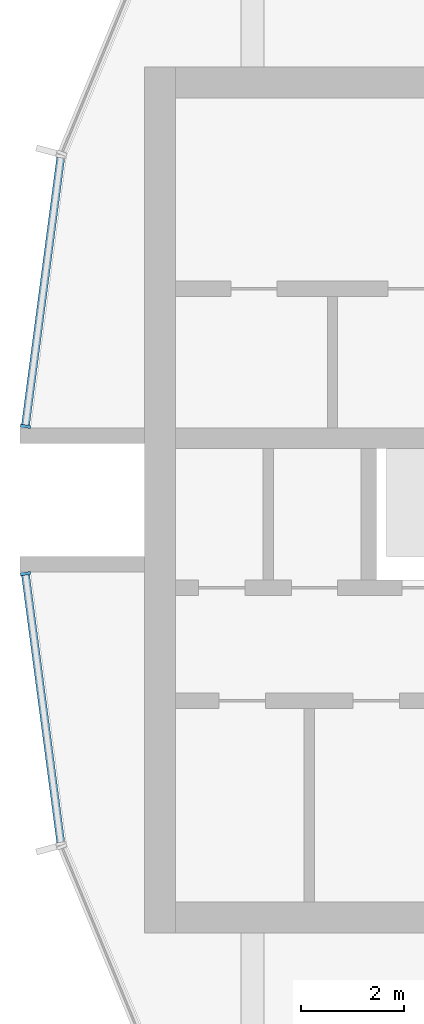
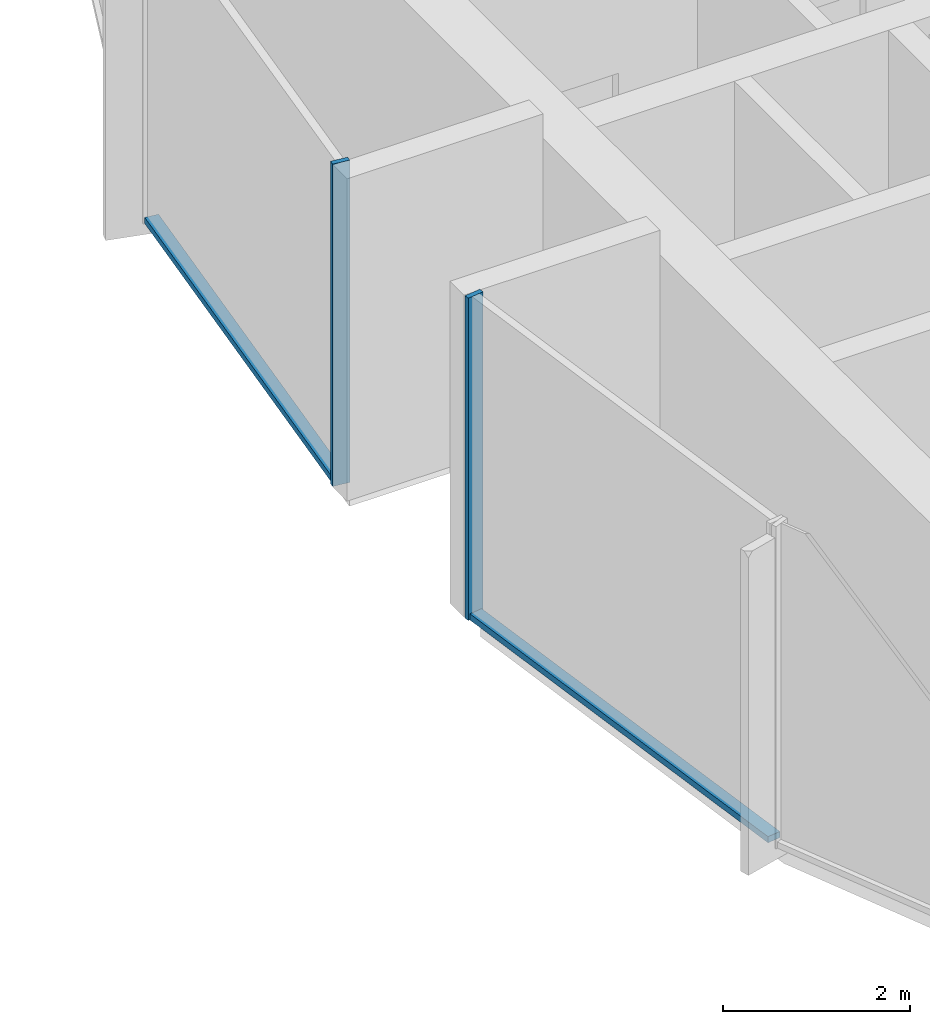
# One storey, part 3 of 15: 4 members, 2 elements without a shape of their own.
"""IFC4 building model written with IfcOpenShell, lengths in metres."""

import ifcopenshell
import ifcopenshell.guid

model = None  # the IFC model being written
_history = None  # IfcOwnerHistory: only IFC2X3 demands one
_inside = {}  # id of a spatial element -> (the spatial element, [elements in it])
_under = {}  # id of a project, library or spatial element -> (it, [spatial elements below it])
_declared = {}  # id of a project -> (the project, [libraries it declares])
_typed = {}  # id of a type object -> (the type object, [elements of that type])
_made_of = {}  # id of a material, layer set ... -> (it, [elements and type objects made of it])


def new_model(schema):
    """Start an empty IFC model of exactly this schema.

    Asked for "IFC4X3", IfcOpenShell would pick the latest addendum, in which some entities
    have other attributes; the version numbers below select the first issue.
    IFC2X3 requires an IfcOwnerHistory on every rooted entity: one is made here for all.
    """
    global model, _history
    if schema == "IFC4X3":
        model = ifcopenshell.file(schema_version=(4, 3, 0, 0))
    else:
        model = ifcopenshell.file(schema=schema)
    _inside.clear()
    _under.clear()
    _declared.clear()
    _typed.clear()
    _made_of.clear()
    _history = None
    if model.schema == "IFC2X3":
        org = make("IfcOrganization", Name="unknown")
        user = make(
            "IfcPersonAndOrganization",
            ThePerson=make("IfcPerson", FamilyName="unknown"),
            TheOrganization=org,
        )
        app = make(
            "IfcApplication",
            ApplicationDeveloper=org,
            Version="unknown",
            ApplicationFullName="unknown",
            ApplicationIdentifier="unknown",
        )
        _history = make(
            "IfcOwnerHistory",
            OwningUser=user,
            OwningApplication=app,
            ChangeAction="ADDED",
            CreationDate=0,
        )
    return model


def make(cls, **values):
    """One entity of the class cls with the attributes given. An attribute that is None is left unset."""
    return model.create_entity(
        cls, **{name: value for name, value in values.items() if value is not None}
    )


def rooted(cls, **values):
    """An entity with a GlobalId (a new one), such as an element, a storey or a relation."""
    return make(cls, GlobalId=ifcopenshell.guid.new(), OwnerHistory=_history, **values)


def si_unit(unit_type, name, prefix=None):
    """IfcSIUnit, for example si_unit("LENGTHUNIT", "METRE", prefix="MILLI")."""
    return make("IfcSIUnit", UnitType=unit_type, Prefix=prefix, Name=name)


def assignment(units):
    """IfcUnitAssignment: the units of a project."""
    return None if units is None else make("IfcUnitAssignment", Units=units)


def point(xyz):
    """IfcCartesianPoint."""
    return None if xyz is None else make("IfcCartesianPoint", Coordinates=xyz)


def direction(xyz):
    """IfcDirection."""
    return None if xyz is None else make("IfcDirection", DirectionRatios=xyz)


def frame(location, z_axis=None, x_axis=None):
    """IfcAxis2Placement3D, a coordinate frame: its origin and axes. An axis left out is left unset."""
    return make(
        "IfcAxis2Placement3D",
        Location=point(location),
        Axis=direction(z_axis),
        RefDirection=direction(x_axis),
    )


def frame_2d(location, x_axis=None):
    """IfcAxis2Placement2D, a coordinate frame in the plane: its origin and x axis."""
    return make(
        "IfcAxis2Placement2D", Location=point(location), RefDirection=direction(x_axis)
    )


def origin():
    """The frame at (0, 0, 0) with its axes left unset."""
    return frame((0.0, 0.0, 0.0))


def origin_2d():
    """The frame at (0, 0) in the plane with its x axis left unset."""
    return frame_2d((0.0, 0.0))


def place(relative_to, where):
    """IfcLocalPlacement: puts the frame where relative to a parent placement (None: the world)."""
    return make(
        "IfcLocalPlacement", PlacementRelTo=relative_to, RelativePlacement=where
    )


def context(
    kind, dimensions, precision=None, world=None, true_north=None, identifier=None
):
    """IfcGeometricRepresentationContext, for example the 3D "Model" context."""
    return make(
        "IfcGeometricRepresentationContext",
        ContextIdentifier=identifier,
        ContextType=kind,
        CoordinateSpaceDimension=dimensions,
        Precision=precision,
        WorldCoordinateSystem=world,
        TrueNorth=true_north,
    )


def subcontext(parent, identifier, kind, view, scale=None):
    """IfcGeometricRepresentationSubContext, for example "Body" below "Model"."""
    return make(
        "IfcGeometricRepresentationSubContext",
        ContextIdentifier=identifier,
        ContextType=kind,
        ParentContext=parent,
        TargetScale=scale,
        TargetView=view,
    )


def project(units=None, contexts=None):
    """IfcProject with its units and contexts."""
    return rooted(
        "IfcProject",
        Name="project",
        RepresentationContexts=contexts,
        UnitsInContext=assignment(units),
    )


def spatial(cls, under=None, at=None, **own):
    """A site, building, storey or space (cls), placed at a placement, below another one or the project."""
    s = rooted(cls, ObjectPlacement=at, **own)
    if under is not None:
        _under.setdefault(under.id(), (under, []))[1].append(s)
    return s


def profile(cls, at=None, kind="AREA", **sizes):
    """A parametric profile (cls). Its sizes go by their IFC names, for example OverallWidth=200.0."""
    return make(cls, ProfileType=kind, Position=at, **sizes)


def rectangle(**sizes):
    """IfcRectangleProfileDef."""
    return profile("IfcRectangleProfileDef", **sizes)


def extrude(swept, where, along, depth):
    """IfcExtrudedAreaSolid: the profile swept, set in the frame where, extruded along a direction by depth."""
    return make(
        "IfcExtrudedAreaSolid",
        SweptArea=swept,
        Position=where,
        ExtrudedDirection=direction(along),
        Depth=depth,
    )


def shape(context_of_items, identifier, shape_type, items):
    """IfcShapeRepresentation: the items that make up one representation, for example the "Body"."""
    return make(
        "IfcShapeRepresentation",
        ContextOfItems=context_of_items,
        RepresentationIdentifier=identifier,
        RepresentationType=shape_type,
        Items=items,
    )


def material(Name=None, Category=None):
    """IfcMaterial."""
    return make("IfcMaterial", Name=Name, Category=Category)


def layer(
    of_material, thickness, ventilated=None, Name=None, Category=None, Priority=None
):
    """IfcMaterialLayer: one layer of a wall or slab, of a material (None: an air gap)."""
    return make(
        "IfcMaterialLayer",
        Material=of_material,
        LayerThickness=thickness,
        IsVentilated=ventilated,
        Name=Name,
        Category=Category,
        Priority=Priority,
    )


def layer_set(layers, Name=None):
    """IfcMaterialLayerSet."""
    return make("IfcMaterialLayerSet", MaterialLayers=layers, LayerSetName=Name)


def material_profile(
    of_material, cross_section, Name=None, Category=None, Priority=None
):
    """IfcMaterialProfile: a cross section and its material."""
    return make(
        "IfcMaterialProfile",
        Name=Name,
        Material=of_material,
        Profile=cross_section,
        Priority=Priority,
        Category=Category,
    )


def profile_set(profiles, Name=None, composite=None):
    """IfcMaterialProfileSet."""
    return make(
        "IfcMaterialProfileSet",
        Name=Name,
        MaterialProfiles=profiles,
        CompositeProfile=composite,
    )


def made_of(thing, what):
    """Note that an element or type object is made of a material, layer set ...; save() writes the relation."""
    if what is not None:
        _made_of.setdefault(what.id(), (what, []))[1].append(thing)
    return thing


def type_object(cls, material=None, **own):
    """A type object (cls), such as IfcWallType, which elements share."""
    return made_of(rooted(cls, **own), material)


def element(
    cls,
    number,
    at=None,
    inside=None,
    cuts=None,
    type_object=None,
    material=None,
    context=None,
    identifier="Body",
    shape_type=None,
    held_by="IfcProductDefinitionShape",
    body=None,
    shapes=None,
    **own,
):
    """One element of the class cls, such as IfcWall. Its Tag is "e" and its number.

    at: its placement. inside: the storey or other place that contains it. cuts: it is an
    opening in that element (IfcRelVoidsElement). A single representation is given by context,
    identifier, shape_type and body (its items); several are given by shapes. held_by: the class
    of the entity that holds the representations. save() writes the other relations.
    """
    e = rooted(cls, Tag="e%d" % number, ObjectPlacement=at, **own)
    if body is not None:
        shapes = [shape(context, identifier, shape_type, body)]
    if shapes is not None:
        e.Representation = make(held_by, Representations=shapes)
    if inside is not None:
        _inside.setdefault(inside.id(), (inside, []))[1].append(e)
    if cuts is not None:
        rooted(
            "IfcRelVoidsElement", RelatingBuildingElement=cuts, RelatedOpeningElement=e
        )
    if type_object is not None:
        _typed.setdefault(type_object.id(), (type_object, []))[1].append(e)
    return made_of(e, material)


def aggregate(whole, parts):
    """IfcRelAggregates: a whole, such as a stair, and the parts it consists of."""
    return rooted("IfcRelAggregates", RelatingObject=whole, RelatedObjects=parts)


def save(model, path):
    """Write the relations noted so far, then the file.

    IfcRelAggregates (storeys below a building ...), IfcRelContainedInSpatialStructure (elements
    in a storey), IfcRelDefinesByType, IfcRelAssociatesMaterial and IfcRelDeclares: one each for
    every whole, place, type object, material and project.
    """
    for whole, parts in _under.values():
        aggregate(whole, parts)
    for where, things in _inside.values():
        rooted(
            "IfcRelContainedInSpatialStructure",
            RelatedElements=things,
            RelatingStructure=where,
        )
    for kind, things in _typed.values():
        rooted("IfcRelDefinesByType", RelatedObjects=things, RelatingType=kind)
    for what, things in _made_of.values():
        rooted("IfcRelAssociatesMaterial", RelatedObjects=things, RelatingMaterial=what)
    for by, libraries in _declared.values():
        rooted("IfcRelDeclares", RelatingContext=by, RelatedDefinitions=libraries)
    model.write(path)


model = new_model("IFC4")

# Units and contexts
model_context = context("Model", 3, precision=1e-05, world=origin(), true_north=direction((0.0, 1.0)))
body_context = subcontext(model_context, "Body", "Model", "MODEL_VIEW")
ifc_project = project(units=[si_unit("LENGTHUNIT", "METRE"), si_unit("AREAUNIT", "SQUARE_METRE"), si_unit("VOLUMEUNIT", "CUBIC_METRE"), si_unit("PLANEANGLEUNIT", "RADIAN"), si_unit("MASSUNIT", "GRAM", prefix="KILO")], contexts=[model_context])

# Site, building, storey
site_placement = place(None, origin())
site = spatial("IfcSite", under=ifc_project, at=site_placement, CompositionType="ELEMENT")
building_placement = place(site_placement, origin())
building = spatial("IfcBuilding", under=site, at=building_placement, Name="Torre Brocal", CompositionType="ELEMENT")
storey_placement = place(building_placement, frame((0.0, 0.0, 237.300048828125)))
storey = spatial("IfcBuildingStorey", under=building, at=storey_placement, Name="L54", CompositionType="ELEMENT", Elevation=237.300048828125)

# Curtain wall, member
ifc_material_1 = material(Name="Aluminium and glass", Category="aluminium")
ifc_layer = layer(ifc_material_1, 0.199951171875)
ifc_layer_set = layer_set([ifc_layer], Name="Aluminium and glass")
curtain_wall_type = type_object("IfcCurtainWallType", Name="CW-1B CURTAIN WALL 4200 HIGH", PredefinedType="NOTDEFINED", material=ifc_layer_set)
curtain_wall_1_placement = place(storey_placement, origin())
curtain_wall_1 = element("IfcCurtainWall", 1, at=curtain_wall_1_placement, inside=storey, type_object=curtain_wall_type, Name="CW-1B RUN 12", PredefinedType="NOTDEFINED")
ifc_material_2 = material(Name="Aluminium, dark anodised", Category="aluminium")
ifc_material_profile_1 = material_profile(ifc_material_2, rectangle(XDim=0.199951171875, YDim=0.06005859375, at=origin_2d()), Name="CW-1B MULLION 60X200")
ifc_profile_set_1 = profile_set([ifc_material_profile_1], Name="Aluminium, dark anodised")
member_type_1 = type_object("IfcMemberType", Name="CW-1B MULLION 60X200", PredefinedType="MULLION", material=ifc_profile_set_1)
member_1_placement = place(storey_placement, frame((54.2890625, 76.4296875, 0.0), z_axis=(0.0, 0.0, 1.0), x_axis=(0.991444861374, -0.13052619222, 0.0)))
member_1 = element("IfcMember", 2, at=member_1_placement, type_object=member_type_1, Name="CW1B-5 mullion 2", PredefinedType="MULLION", context=body_context, shape_type="SweptSolid", body=[
    extrude(rectangle(XDim=0.199951171875, YDim=0.06005859375, at=origin_2d()), origin(), (0.0, 0.0, 1.0), 4.199951171875),
])

curtain_wall_2_placement = place(storey_placement, origin())
curtain_wall_2 = element("IfcCurtainWall", 3, at=curtain_wall_2_placement, inside=storey, type_object=curtain_wall_type, Name="CW-1B RUN 13", PredefinedType="NOTDEFINED")
member_2_placement = place(storey_placement, frame((54.2890625, 73.5703125, 0.0), z_axis=(0.0, 0.0, 1.0), x_axis=(0.991444861374, 0.13052619222, 0.0)))
member_2 = element("IfcMember", 4, at=member_2_placement, type_object=member_type_1, Name="CW1B-5 mullion 1", PredefinedType="MULLION", context=body_context, shape_type="SweptSolid", body=[
    extrude(rectangle(XDim=0.199951171875, YDim=0.06005859375, at=origin_2d()), origin(), (0.0, 0.0, 1.0), 4.199951171875),
])

# Member
ifc_material_3 = material(Name="Aluminium, dark anodised", Category="aluminium")
ifc_material_profile_2 = material_profile(ifc_material_3, rectangle(XDim=0.159912109375, YDim=0.080078125, at=origin_2d()), Name="CW-1B TRANSOM 160X80")
ifc_profile_set_2 = profile_set([ifc_material_profile_2], Name="Aluminium, dark anodised")
member_type_2 = type_object("IfcMemberType", Name="CW-1B TRANSOM 160X80", PredefinedType="USERDEFINED", material=ifc_profile_set_2)
member_3_placement = place(storey_placement, frame((54.9755859375, 81.643798828125, 0.0400390625), z_axis=(-0.130542677827, -0.991442690863, 0.0), x_axis=(0.991442690863, -0.130542677827, 0.0)))
member_3 = element("IfcMember", 5, at=member_3_placement, type_object=member_type_2, Name="CW1B-5 transom 1.1", ObjectType="TRANSOM", PredefinedType="USERDEFINED", context=body_context, shape_type="SweptSolid", body=[
    extrude(rectangle(XDim=0.159912109375, YDim=0.080078125, at=origin_2d()), origin(), (0.0, 0.0, 1.0), 5.22900390625),
])

aggregate(curtain_wall_1, [member_1, member_3])

member_4_placement = place(storey_placement, frame((54.29296875, 73.54052734375, 0.0400390625), z_axis=(0.130542677827, -0.991442690863, 0.0), x_axis=(0.991442690863, 0.130542677827, 0.0)))
member_4 = element("IfcMember", 6, at=member_4_placement, type_object=member_type_2, Name="CW1B-5 transom 1.1", ObjectType="TRANSOM", PredefinedType="USERDEFINED", context=body_context, shape_type="SweptSolid", body=[
    extrude(rectangle(XDim=0.159912109375, YDim=0.080078125, at=origin_2d()), origin(), (0.0, 0.0, 1.0), 5.22900390625),
])

aggregate(curtain_wall_2, [member_2, member_4])

save(model, "model.ifc")
